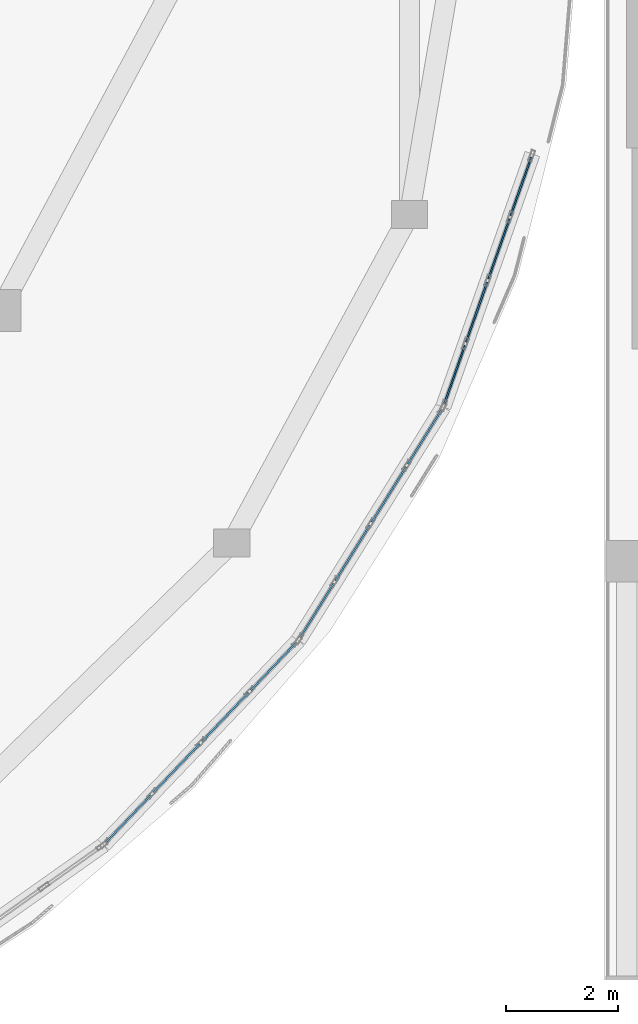
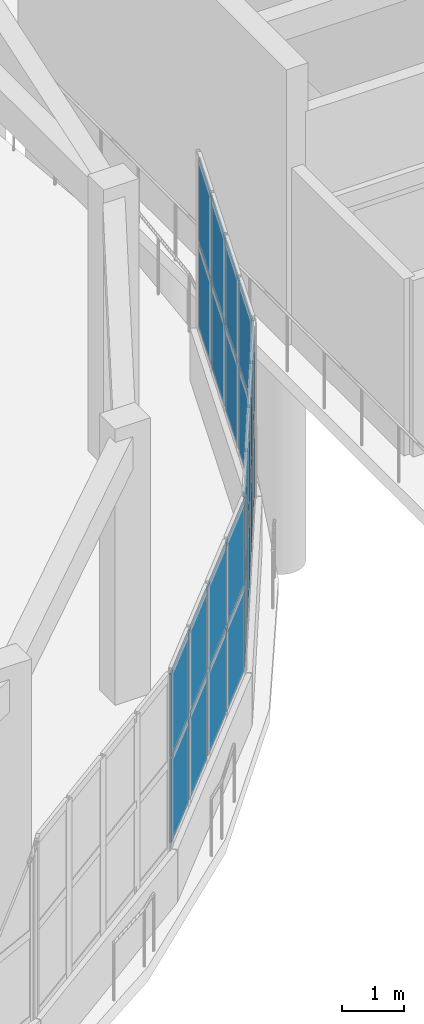
# One storey, part 68 of 96: 24 plates, 3 elements without a shape of their own.
"""IFC4 building model written with IfcOpenShell, lengths in metres."""

from ifc_helpers import new_model, si_unit, direction, frame, origin, origin_2d, place, context, subcontext, project, spatial, rectangle, extrude, material, layer, layer_set, type_object, element, aggregate, save


model = new_model("IFC4")

# Units and contexts
model_context = context("Model", 3, precision=1e-05, world=origin(), true_north=direction((0.0, 1.0)))
body_context = subcontext(model_context, "Body", "Model", "MODEL_VIEW")
ifc_project = project(units=[si_unit("LENGTHUNIT", "METRE"), si_unit("AREAUNIT", "SQUARE_METRE"), si_unit("VOLUMEUNIT", "CUBIC_METRE"), si_unit("PLANEANGLEUNIT", "RADIAN"), si_unit("MASSUNIT", "GRAM", prefix="KILO")], contexts=[model_context])

# Site, building, storey
site_placement = place(None, origin())
site = spatial("IfcSite", under=ifc_project, at=site_placement, CompositionType="ELEMENT")
building_placement = place(site_placement, origin())
building = spatial("IfcBuilding", under=site, at=building_placement, Name="Pelvatis Terrace Science Centre", CompositionType="ELEMENT")
storey_placement = place(building_placement, origin())
storey = spatial("IfcBuildingStorey", under=building, at=storey_placement, Name="L00", CompositionType="ELEMENT", Elevation=0.0)

# Curtain wall, plates
ifc_material_1 = material(Name="Bronze-anodised aluminium and laminated glass", Category="aluminium")
ifc_layer_1 = layer(ifc_material_1, 0.199951171875)
ifc_layer_set_1 = layer_set([ifc_layer_1], Name="Bronze-anodised aluminium and laminated glass")
curtain_wall_type = type_object("IfcCurtainWallType", Name="CW-RIBBON-B", PredefinedType="NOTDEFINED", material=ifc_layer_set_1)
curtain_wall_1_placement = place(storey_placement, origin())
curtain_wall_1 = element("IfcCurtainWall", 1, at=curtain_wall_1_placement, inside=storey, type_object=curtain_wall_type, Name="Ribbon curtain wall CW-123 (L00)", PredefinedType="NOTDEFINED")
ifc_material_2 = material(Name="Low-e laminated solar-control double glazing", Category="glass")
ifc_layer_2 = layer(ifc_material_2, 0.031982421875)
ifc_layer_set_2 = layer_set([ifc_layer_2], Name="Low-e laminated solar-control double glazing")
plate_type = type_object("IfcPlateType", Name="CWP-IGU-32", PredefinedType="CURTAIN_PANEL", material=ifc_layer_set_2)
plate_1_placement = place(storey_placement, frame((131.881591796875, 65.592529296875, 1.0849609375), z_axis=(0.0, 0.0, 1.0), x_axis=(0.689973170309, 0.723834942686, 0.0)))
plate_1 = element("IfcPlate", 2, at=plate_1_placement, type_object=plate_type, Name="CW-123 panel 1.1", PredefinedType="CURTAIN_PANEL", context=body_context, shape_type="SweptSolid", body=[
    extrude(rectangle(XDim=1.16650390625, YDim=0.031982421875, at=origin_2d()), origin(), (0.0, 0.0, 1.0), 1.62255859375),
])
plate_2_placement = place(storey_placement, frame((131.881591796875, 65.592529296875, 2.7724609375), z_axis=(0.0, 0.0, 1.0), x_axis=(0.689973170309, 0.723834942686, 0.0)))
plate_2 = element("IfcPlate", 3, at=plate_2_placement, type_object=plate_type, Name="CW-123 panel 1.2", PredefinedType="CURTAIN_PANEL", context=body_context, shape_type="SweptSolid", body=[
    extrude(rectangle(XDim=1.16650390625, YDim=0.031982421875, at=origin_2d()), origin(), (0.0, 0.0, 1.0), 1.62255859375),
])
plate_3_placement = place(storey_placement, frame((132.742431640625, 66.495849609375, 1.0849609375), z_axis=(0.0, 0.0, 1.0), x_axis=(0.689973170309, 0.723834942686, 0.0)))
plate_3 = element("IfcPlate", 4, at=plate_3_placement, type_object=plate_type, Name="CW-123 panel 2.1", PredefinedType="CURTAIN_PANEL", context=body_context, shape_type="SweptSolid", body=[
    extrude(rectangle(XDim=1.198974609375, YDim=0.031982421875, at=origin_2d()), origin(), (0.0, 0.0, 1.0), 1.62255859375),
])
plate_4_placement = place(storey_placement, frame((132.742431640625, 66.495849609375, 2.7724609375), z_axis=(0.0, 0.0, 1.0), x_axis=(0.689973170309, 0.723834942686, 0.0)))
plate_4 = element("IfcPlate", 5, at=plate_4_placement, type_object=plate_type, Name="CW-123 panel 2.2", PredefinedType="CURTAIN_PANEL", context=body_context, shape_type="SweptSolid", body=[
    extrude(rectangle(XDim=1.198974609375, YDim=0.031982421875, at=origin_2d()), origin(), (0.0, 0.0, 1.0), 1.62255859375),
])
plate_5_placement = place(storey_placement, frame((133.614501953125, 67.41064453125, 1.0849609375), z_axis=(0.0, 0.0, 1.0), x_axis=(0.689973170309, 0.723834942686, 0.0)))
plate_5 = element("IfcPlate", 6, at=plate_5_placement, type_object=plate_type, Name="CW-123 panel 3.1", PredefinedType="CURTAIN_PANEL", context=body_context, shape_type="SweptSolid", body=[
    extrude(rectangle(XDim=1.198974609375, YDim=0.031982421875, at=origin_2d()), origin(), (0.0, 0.0, 1.0), 1.62255859375),
])
plate_6_placement = place(storey_placement, frame((133.614501953125, 67.41064453125, 2.7724609375), z_axis=(0.0, 0.0, 1.0), x_axis=(0.689973170309, 0.723834942686, 0.0)))
plate_6 = element("IfcPlate", 7, at=plate_6_placement, type_object=plate_type, Name="CW-123 panel 3.2", PredefinedType="CURTAIN_PANEL", context=body_context, shape_type="SweptSolid", body=[
    extrude(rectangle(XDim=1.198974609375, YDim=0.031982421875, at=origin_2d()), origin(), (0.0, 0.0, 1.0), 1.62255859375),
])
plate_7_placement = place(storey_placement, frame((134.475341796875, 68.313720703125, 1.0849609375), z_axis=(0.0, 0.0, 1.0), x_axis=(0.689973170309, 0.723834942686, 0.0)))
plate_7 = element("IfcPlate", 8, at=plate_7_placement, type_object=plate_type, Name="CW-123 panel 4.1", PredefinedType="CURTAIN_PANEL", context=body_context, shape_type="SweptSolid", body=[
    extrude(rectangle(XDim=1.16650390625, YDim=0.031982421875, at=origin_2d()), origin(), (0.0, 0.0, 1.0), 1.62255859375),
])
plate_8_placement = place(storey_placement, frame((134.475341796875, 68.313720703125, 2.7724609375), z_axis=(0.0, 0.0, 1.0), x_axis=(0.689973170309, 0.723834942686, 0.0)))
plate_8 = element("IfcPlate", 9, at=plate_8_placement, type_object=plate_type, Name="CW-123 panel 4.2", PredefinedType="CURTAIN_PANEL", context=body_context, shape_type="SweptSolid", body=[
    extrude(rectangle(XDim=1.16650390625, YDim=0.031982421875, at=origin_2d()), origin(), (0.0, 0.0, 1.0), 1.62255859375),
])
aggregate(curtain_wall_1, [plate_1, plate_2, plate_3, plate_4, plate_5, plate_6, plate_7, plate_8])

curtain_wall_2_placement = place(storey_placement, origin())
curtain_wall_2 = element("IfcCurtainWall", 10, at=curtain_wall_2_placement, inside=storey, type_object=curtain_wall_type, Name="Ribbon curtain wall CW-124 (L00)", PredefinedType="NOTDEFINED")
plate_9_placement = place(storey_placement, frame((135.25537109375, 69.318603515625, 1.0849609375), z_axis=(0.0, 0.0, 1.0), x_axis=(0.527450488022, 0.849585771235, 0.0)))
plate_9 = element("IfcPlate", 11, at=plate_9_placement, type_object=plate_type, Name="CW-124 panel 1.1", PredefinedType="CURTAIN_PANEL", context=body_context, shape_type="SweptSolid", body=[
    extrude(rectangle(XDim=1.131103515625, YDim=0.031982421875, at=origin_2d()), origin(), (0.0, 0.0, 1.0), 1.62255859375),
])
plate_10_placement = place(storey_placement, frame((135.25537109375, 69.318603515625, 2.7724609375), z_axis=(0.0, 0.0, 1.0), x_axis=(0.527450488022, 0.849585771235, 0.0)))
plate_10 = element("IfcPlate", 12, at=plate_10_placement, type_object=plate_type, Name="CW-124 panel 1.2", PredefinedType="CURTAIN_PANEL", context=body_context, shape_type="SweptSolid", body=[
    extrude(rectangle(XDim=1.131103515625, YDim=0.031982421875, at=origin_2d()), origin(), (0.0, 0.0, 1.0), 1.62255859375),
])
plate_11_placement = place(storey_placement, frame((135.894775390625, 70.3486328125, 1.0849609375), z_axis=(0.0, 0.0, 1.0), x_axis=(0.527450488022, 0.849585771235, 0.0)))
plate_11 = element("IfcPlate", 13, at=plate_11_placement, type_object=plate_type, Name="CW-124 panel 2.1", PredefinedType="CURTAIN_PANEL", context=body_context, shape_type="SweptSolid", body=[
    extrude(rectangle(XDim=1.16357421875, YDim=0.031982421875, at=origin_2d()), origin(), (0.0, 0.0, 1.0), 1.62255859375),
])
plate_12_placement = place(storey_placement, frame((135.894775390625, 70.3486328125, 2.7724609375), z_axis=(0.0, 0.0, 1.0), x_axis=(0.527450488022, 0.849585771235, 0.0)))
plate_12 = element("IfcPlate", 14, at=plate_12_placement, type_object=plate_type, Name="CW-124 panel 2.2", PredefinedType="CURTAIN_PANEL", context=body_context, shape_type="SweptSolid", body=[
    extrude(rectangle(XDim=1.16357421875, YDim=0.031982421875, at=origin_2d()), origin(), (0.0, 0.0, 1.0), 1.62255859375),
])
plate_13_placement = place(storey_placement, frame((136.542724609375, 71.392578125, 1.0849609375), z_axis=(0.0, 0.0, 1.0), x_axis=(0.527450488022, 0.849585771235, 0.0)))
plate_13 = element("IfcPlate", 15, at=plate_13_placement, type_object=plate_type, Name="CW-124 panel 3.1", PredefinedType="CURTAIN_PANEL", context=body_context, shape_type="SweptSolid", body=[
    extrude(rectangle(XDim=1.16357421875, YDim=0.031982421875, at=origin_2d()), origin(), (0.0, 0.0, 1.0), 1.62255859375),
])
plate_14_placement = place(storey_placement, frame((136.542724609375, 71.392578125, 2.7724609375), z_axis=(0.0, 0.0, 1.0), x_axis=(0.527450488022, 0.849585771235, 0.0)))
plate_14 = element("IfcPlate", 16, at=plate_14_placement, type_object=plate_type, Name="CW-124 panel 3.2", PredefinedType="CURTAIN_PANEL", context=body_context, shape_type="SweptSolid", body=[
    extrude(rectangle(XDim=1.16357421875, YDim=0.031982421875, at=origin_2d()), origin(), (0.0, 0.0, 1.0), 1.62255859375),
])
plate_15_placement = place(storey_placement, frame((137.18212890625, 72.422607421875, 1.0849609375), z_axis=(0.0, 0.0, 1.0), x_axis=(0.527450488022, 0.849585771235, 0.0)))
plate_15 = element("IfcPlate", 17, at=plate_15_placement, type_object=plate_type, Name="CW-124 panel 4.1", PredefinedType="CURTAIN_PANEL", context=body_context, shape_type="SweptSolid", body=[
    extrude(rectangle(XDim=1.131103515625, YDim=0.031982421875, at=origin_2d()), origin(), (0.0, 0.0, 1.0), 1.62255859375),
])
plate_16_placement = place(storey_placement, frame((137.18212890625, 72.422607421875, 2.7724609375), z_axis=(0.0, 0.0, 1.0), x_axis=(0.527450488022, 0.849585771235, 0.0)))
plate_16 = element("IfcPlate", 18, at=plate_16_placement, type_object=plate_type, Name="CW-124 panel 4.2", PredefinedType="CURTAIN_PANEL", context=body_context, shape_type="SweptSolid", body=[
    extrude(rectangle(XDim=1.131103515625, YDim=0.031982421875, at=origin_2d()), origin(), (0.0, 0.0, 1.0), 1.62255859375),
])
aggregate(curtain_wall_2, [plate_9, plate_10, plate_11, plate_12, plate_13, plate_14, plate_15, plate_16])

curtain_wall_3_placement = place(storey_placement, origin())
curtain_wall_3 = element("IfcCurtainWall", 19, at=curtain_wall_3_placement, inside=storey, type_object=curtain_wall_type, Name="Ribbon curtain wall CW-125 (L00)", PredefinedType="NOTDEFINED")
plate_17_placement = place(storey_placement, frame((137.7197265625, 73.539794921875, 1.0849609375), z_axis=(0.0, 0.0, 1.0), x_axis=(0.332308248738, 0.943170837028, 0.0)))
plate_17 = element("IfcPlate", 20, at=plate_17_placement, type_object=plate_type, Name="CW-125 panel 1.1", PredefinedType="CURTAIN_PANEL", context=body_context, shape_type="SweptSolid", body=[
    extrude(rectangle(XDim=1.103271484375, YDim=0.031982421875, at=origin_2d()), origin(), (0.0, 0.0, 1.0), 1.62255859375),
])
plate_18_placement = place(storey_placement, frame((137.7197265625, 73.539794921875, 2.7724609375), z_axis=(0.0, 0.0, 1.0), x_axis=(0.332308248738, 0.943170837028, 0.0)))
plate_18 = element("IfcPlate", 21, at=plate_18_placement, type_object=plate_type, Name="CW-125 panel 1.2", PredefinedType="CURTAIN_PANEL", context=body_context, shape_type="SweptSolid", body=[
    extrude(rectangle(XDim=1.103271484375, YDim=0.031982421875, at=origin_2d()), origin(), (0.0, 0.0, 1.0), 1.62255859375),
])
plate_19_placement = place(storey_placement, frame((138.11328125, 74.656982421875, 1.0849609375), z_axis=(0.0, 0.0, 1.0), x_axis=(0.332308248738, 0.943170837028, 0.0)))
plate_19 = element("IfcPlate", 22, at=plate_19_placement, type_object=plate_type, Name="CW-125 panel 2.1", PredefinedType="CURTAIN_PANEL", context=body_context, shape_type="SweptSolid", body=[
    extrude(rectangle(XDim=1.1357421875, YDim=0.031982421875, at=origin_2d()), origin(), (0.0, 0.0, 1.0), 1.62255859375),
])
plate_20_placement = place(storey_placement, frame((138.11328125, 74.656982421875, 2.7724609375), z_axis=(0.0, 0.0, 1.0), x_axis=(0.332308248738, 0.943170837028, 0.0)))
plate_20 = element("IfcPlate", 23, at=plate_20_placement, type_object=plate_type, Name="CW-125 panel 2.2", PredefinedType="CURTAIN_PANEL", context=body_context, shape_type="SweptSolid", body=[
    extrude(rectangle(XDim=1.1357421875, YDim=0.031982421875, at=origin_2d()), origin(), (0.0, 0.0, 1.0), 1.62255859375),
])
plate_21_placement = place(storey_placement, frame((138.512451171875, 75.789794921875, 1.0849609375), z_axis=(0.0, 0.0, 1.0), x_axis=(0.332308248738, 0.943170837028, 0.0)))
plate_21 = element("IfcPlate", 24, at=plate_21_placement, type_object=plate_type, Name="CW-125 panel 3.1", PredefinedType="CURTAIN_PANEL", context=body_context, shape_type="SweptSolid", body=[
    extrude(rectangle(XDim=1.1357421875, YDim=0.031982421875, at=origin_2d()), origin(), (0.0, 0.0, 1.0), 1.62255859375),
])
plate_22_placement = place(storey_placement, frame((138.512451171875, 75.789794921875, 2.7724609375), z_axis=(0.0, 0.0, 1.0), x_axis=(0.332308248738, 0.943170837028, 0.0)))
plate_22 = element("IfcPlate", 25, at=plate_22_placement, type_object=plate_type, Name="CW-125 panel 3.2", PredefinedType="CURTAIN_PANEL", context=body_context, shape_type="SweptSolid", body=[
    extrude(rectangle(XDim=1.1357421875, YDim=0.031982421875, at=origin_2d()), origin(), (0.0, 0.0, 1.0), 1.62255859375),
])
plate_23_placement = place(storey_placement, frame((138.906005859375, 76.906982421875, 1.0849609375), z_axis=(0.0, 0.0, 1.0), x_axis=(0.332308248738, 0.943170837028, 0.0)))
plate_23 = element("IfcPlate", 26, at=plate_23_placement, type_object=plate_type, Name="CW-125 panel 4.1", PredefinedType="CURTAIN_PANEL", context=body_context, shape_type="SweptSolid", body=[
    extrude(rectangle(XDim=1.103271484375, YDim=0.031982421875, at=origin_2d()), origin(), (0.0, 0.0, 1.0), 1.62255859375),
])
plate_24_placement = place(storey_placement, frame((138.906005859375, 76.906982421875, 2.7724609375), z_axis=(0.0, 0.0, 1.0), x_axis=(0.332308248738, 0.943170837028, 0.0)))
plate_24 = element("IfcPlate", 27, at=plate_24_placement, type_object=plate_type, Name="CW-125 panel 4.2", PredefinedType="CURTAIN_PANEL", context=body_context, shape_type="SweptSolid", body=[
    extrude(rectangle(XDim=1.103271484375, YDim=0.031982421875, at=origin_2d()), origin(), (0.0, 0.0, 1.0), 1.62255859375),
])
aggregate(curtain_wall_3, [plate_17, plate_18, plate_19, plate_20, plate_21, plate_22, plate_23, plate_24])

save(model, "model.ifc")
